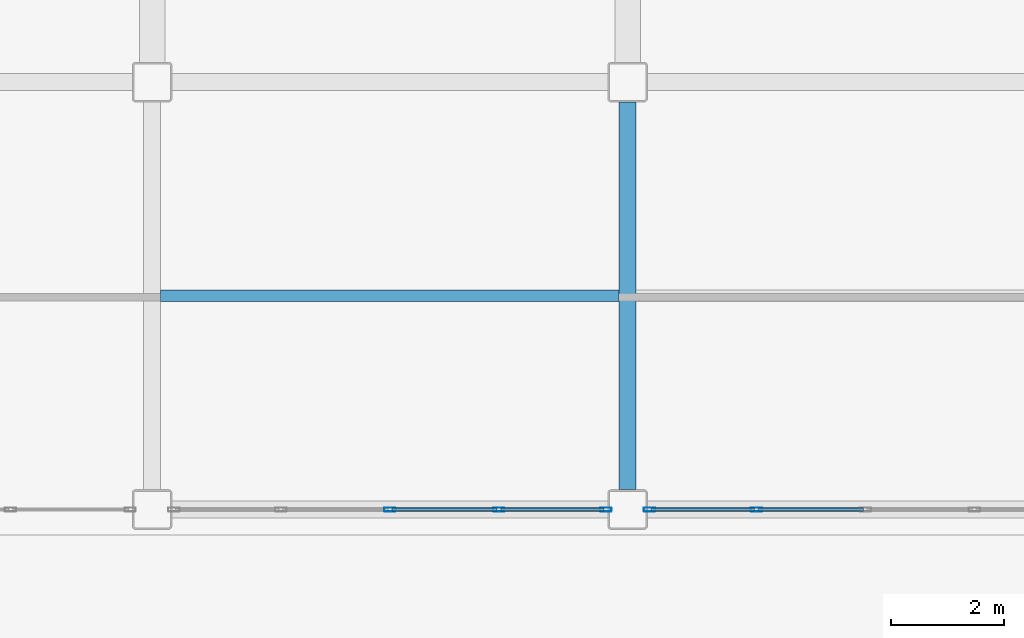
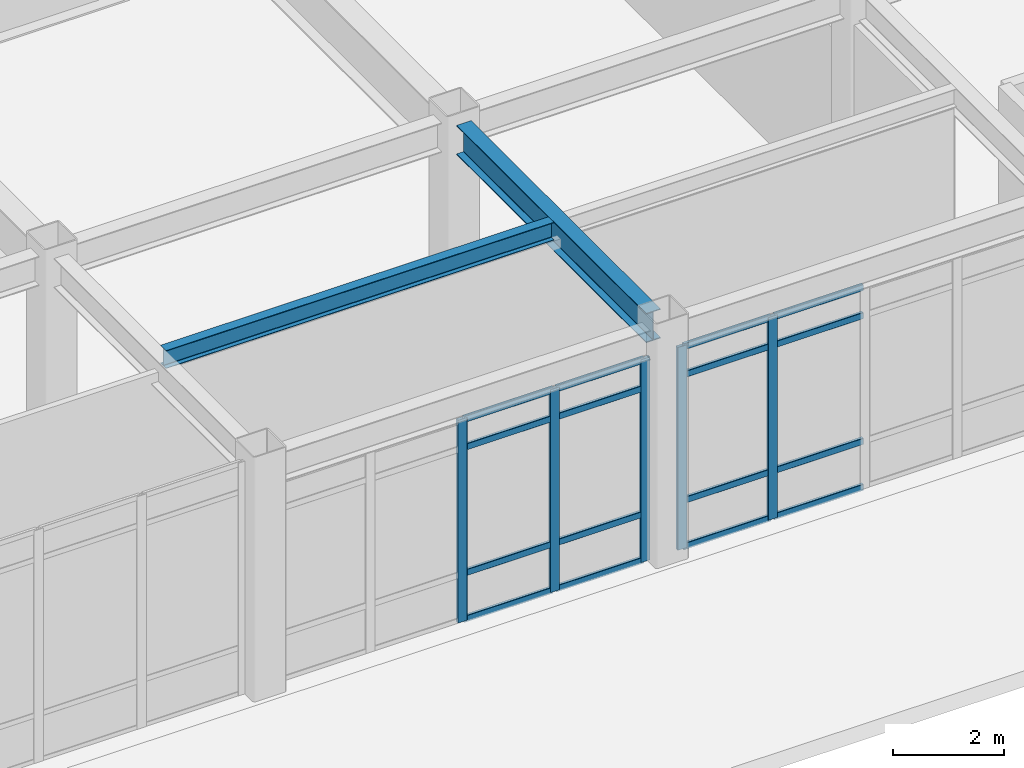
# One storey, part 11 of 165: 21 members, 2 beams, 2 elements without a shape of their own.
"""IFC4 building model written with IfcOpenShell, lengths in metres."""

from ifc_helpers import new_model, si_unit, direction, frame, origin, origin_2d, place, context, subcontext, project, spatial, hollow_rectangle, i_section, extrude, material, layer, layer_set, material_profile, profile_set, type_object, element, aggregate, save


model = new_model("IFC4")

# Units and contexts
model_context = context("Model", 3, precision=1e-05, world=origin(), true_north=direction((0.0, 1.0)))
body_context = subcontext(model_context, "Body", "Model", "MODEL_VIEW")
ifc_project = project(units=[si_unit("LENGTHUNIT", "METRE"), si_unit("AREAUNIT", "SQUARE_METRE"), si_unit("VOLUMEUNIT", "CUBIC_METRE"), si_unit("PLANEANGLEUNIT", "RADIAN"), si_unit("MASSUNIT", "GRAM", prefix="KILO")], contexts=[model_context])

# Site, building, storey
site_placement = place(None, origin())
site = spatial("IfcSite", under=ifc_project, at=site_placement, CompositionType="ELEMENT")
building_placement = place(site_placement, origin())
building = spatial("IfcBuilding", under=site, at=building_placement, Name="Kazehara Bluff Congress Hotel", CompositionType="ELEMENT")
storey_placement = place(building_placement, origin())
storey = spatial("IfcBuildingStorey", under=building, at=storey_placement, Name="L00", CompositionType="ELEMENT", Elevation=0.0)

# Curtain wall, members
ifc_material_1 = material(Name="Anodised aluminium", Category="aluminium")
ifc_layer = layer(ifc_material_1, 0.159912109375)
ifc_layer_set = layer_set([ifc_layer], Name="Anodised aluminium")
curtain_wall_type = type_object("IfcCurtainWallType", Name="TP-CW-26", PredefinedType="NOTDEFINED", material=ifc_layer_set)
curtain_wall_1_placement = place(storey_placement, origin())
curtain_wall_1 = element("IfcCurtainWall", 1, at=curtain_wall_1_placement, inside=storey, type_object=curtain_wall_type, Name="L00 curtain wall CW-26 CW-V2-L00-Y45-2555", PredefinedType="NOTDEFINED")
ifc_material_2 = material(Name="Anodised aluminium", Category="aluminium")
ifc_material_profile_1 = material_profile(ifc_material_2, hollow_rectangle(XDim=0.070068359375, YDim=0.199951171875, WallThickness=0.0048828125, InnerFilletRadius=0.0048828125, OuterFilletRadius=0.010009765625, at=origin_2d()))
ifc_profile_set_1 = profile_set([ifc_material_profile_1], Name="Anodised aluminium")
member_type_1 = type_object("IfcMemberType", Name="TP-CWM-03", PredefinedType="MULLION", material=ifc_profile_set_1)
member_1_placement = place(storey_placement, frame((29.39990234375, 0.449951171875, 0.0), z_axis=(0.0, 0.0, 1.0), x_axis=(0.0, 1.0, 0.0)))
member_1 = element("IfcMember", 2, at=member_1_placement, type_object=member_type_1, Name="CW-26 mullion 3", PredefinedType="MULLION", context=body_context, shape_type="SweptSolid", body=[
    extrude(hollow_rectangle(XDim=0.070068359375, YDim=0.199951171875, WallThickness=0.0048828125, InnerFilletRadius=0.0048828125, OuterFilletRadius=0.010009765625, at=origin_2d()), origin(), (0.0, 0.0, 1.0), 4.47509765625),
])
member_2_placement = place(storey_placement, frame((31.324951171875, 0.449951171875, 0.0), z_axis=(0.0, 0.0, 1.0), x_axis=(0.0, 1.0, 0.0)))
member_2 = element("IfcMember", 3, at=member_2_placement, type_object=member_type_1, Name="CW-26 mullion 4", PredefinedType="MULLION", context=body_context, shape_type="SweptSolid", body=[
    extrude(hollow_rectangle(XDim=0.070068359375, YDim=0.199951171875, WallThickness=0.0048828125, InnerFilletRadius=0.0048828125, OuterFilletRadius=0.010009765625, at=origin_2d()), origin(), (0.0, 0.0, 1.0), 4.47509765625),
])
member_3_placement = place(storey_placement, frame((33.215087890625, 0.449951171875, 0.0), z_axis=(0.0, 0.0, 1.0), x_axis=(0.0, 1.0, 0.0)))
member_3 = element("IfcMember", 4, at=member_3_placement, type_object=member_type_1, Name="CW-26 mullion 5", PredefinedType="MULLION", context=body_context, shape_type="SweptSolid", body=[
    extrude(hollow_rectangle(XDim=0.070068359375, YDim=0.199951171875, WallThickness=0.0048828125, InnerFilletRadius=0.0048828125, OuterFilletRadius=0.010009765625, at=origin_2d()), origin(), (0.0, 0.0, 1.0), 4.47509765625),
])

curtain_wall_2_placement = place(storey_placement, origin())
curtain_wall_2 = element("IfcCurtainWall", 5, at=curtain_wall_2_placement, inside=storey, type_object=curtain_wall_type, Name="L00 curtain wall CW-26 CW-V2-L00-Y45-3395", PredefinedType="NOTDEFINED")
member_4_placement = place(storey_placement, frame((33.985107421875, 0.449951171875, 0.0), z_axis=(0.0, 0.0, 1.0), x_axis=(0.0, 1.0, 0.0)))
member_4 = element("IfcMember", 6, at=member_4_placement, type_object=member_type_1, Name="CW-26 mullion 1", PredefinedType="MULLION", context=body_context, shape_type="SweptSolid", body=[
    extrude(hollow_rectangle(XDim=0.070068359375, YDim=0.199951171875, WallThickness=0.0048828125, InnerFilletRadius=0.0048828125, OuterFilletRadius=0.010009765625, at=origin_2d()), origin(), (0.0, 0.0, 1.0), 4.47509765625),
])
member_5_placement = place(storey_placement, frame((35.875, 0.449951171875, 0.0), z_axis=(0.0, 0.0, 1.0), x_axis=(0.0, 1.0, 0.0)))
member_5 = element("IfcMember", 7, at=member_5_placement, type_object=member_type_1, Name="CW-26 mullion 2", PredefinedType="MULLION", context=body_context, shape_type="SweptSolid", body=[
    extrude(hollow_rectangle(XDim=0.070068359375, YDim=0.199951171875, WallThickness=0.0048828125, InnerFilletRadius=0.0048828125, OuterFilletRadius=0.010009765625, at=origin_2d()), origin(), (0.0, 0.0, 1.0), 4.47509765625),
])

# Member
ifc_material_3 = material(Name="Anodised aluminium", Category="aluminium")
ifc_material_profile_2 = material_profile(ifc_material_3, hollow_rectangle(XDim=0.06494140625, YDim=0.139892578125, WallThickness=0.00390625, InnerFilletRadius=0.00390625, OuterFilletRadius=0.008056640625, at=origin_2d()))
ifc_profile_set_2 = profile_set([ifc_material_profile_2], Name="Anodised aluminium")
member_type_2 = type_object("IfcMemberType", Name="TP-CWT-02", PredefinedType="USERDEFINED", material=ifc_profile_set_2)
member_6_placement = place(storey_placement, frame((29.43505859375, 0.449951171875, 0.032470703125), z_axis=(1.0, 0.0, 0.0), x_axis=(0.0, 1.0, 0.0)))
member_6 = element("IfcMember", 8, at=member_6_placement, type_object=member_type_2, Name="CW-26 transom 3.1", ObjectType="TRANSOM", PredefinedType="USERDEFINED", context=body_context, shape_type="SweptSolid", body=[
    extrude(hollow_rectangle(XDim=0.06494140625, YDim=0.139892578125, WallThickness=0.00390625, InnerFilletRadius=0.00390625, OuterFilletRadius=0.008056640625, at=origin_2d()), origin(), (0.0, 0.0, 1.0), 1.85498046875),
])

member_7_placement = place(storey_placement, frame((29.43505859375, 0.449951171875, 1.050048828125), z_axis=(1.0, 0.0, 0.0), x_axis=(0.0, 1.0, 0.0)))
member_7 = element("IfcMember", 9, at=member_7_placement, type_object=member_type_2, Name="CW-26 transom 3.2", ObjectType="TRANSOM", PredefinedType="USERDEFINED", context=body_context, shape_type="SweptSolid", body=[
    extrude(hollow_rectangle(XDim=0.06494140625, YDim=0.139892578125, WallThickness=0.00390625, InnerFilletRadius=0.00390625, OuterFilletRadius=0.008056640625, at=origin_2d()), origin(), (0.0, 0.0, 1.0), 1.85498046875),
])

member_8_placement = place(storey_placement, frame((29.43505859375, 0.449951171875, 3.824951171875), z_axis=(1.0, 0.0, 0.0), x_axis=(0.0, 1.0, 0.0)))
member_8 = element("IfcMember", 10, at=member_8_placement, type_object=member_type_2, Name="CW-26 transom 3.3", ObjectType="TRANSOM", PredefinedType="USERDEFINED", context=body_context, shape_type="SweptSolid", body=[
    extrude(hollow_rectangle(XDim=0.06494140625, YDim=0.139892578125, WallThickness=0.00390625, InnerFilletRadius=0.00390625, OuterFilletRadius=0.008056640625, at=origin_2d()), origin(), (0.0, 0.0, 1.0), 1.85498046875),
])

member_9_placement = place(storey_placement, frame((29.43505859375, 0.449951171875, 4.4423828125), z_axis=(1.0, 0.0, 0.0), x_axis=(0.0, 1.0, 0.0)))
member_9 = element("IfcMember", 11, at=member_9_placement, type_object=member_type_2, Name="CW-26 transom 3.4", ObjectType="TRANSOM", PredefinedType="USERDEFINED", context=body_context, shape_type="SweptSolid", body=[
    extrude(hollow_rectangle(XDim=0.06494140625, YDim=0.139892578125, WallThickness=0.00390625, InnerFilletRadius=0.00390625, OuterFilletRadius=0.008056640625, at=origin_2d()), origin(), (0.0, 0.0, 1.0), 1.85498046875),
])

member_10_placement = place(storey_placement, frame((31.360107421875, 0.449951171875, 0.032470703125), z_axis=(1.0, 0.0, 0.0), x_axis=(0.0, 1.0, 0.0)))
member_10 = element("IfcMember", 12, at=member_10_placement, type_object=member_type_2, Name="CW-26 transom 4.1", ObjectType="TRANSOM", PredefinedType="USERDEFINED", context=body_context, shape_type="SweptSolid", body=[
    extrude(hollow_rectangle(XDim=0.06494140625, YDim=0.139892578125, WallThickness=0.00390625, InnerFilletRadius=0.00390625, OuterFilletRadius=0.008056640625, at=origin_2d()), origin(), (0.0, 0.0, 1.0), 1.81982421875),
])

member_11_placement = place(storey_placement, frame((31.360107421875, 0.449951171875, 1.050048828125), z_axis=(1.0, 0.0, 0.0), x_axis=(0.0, 1.0, 0.0)))
member_11 = element("IfcMember", 13, at=member_11_placement, type_object=member_type_2, Name="CW-26 transom 4.2", ObjectType="TRANSOM", PredefinedType="USERDEFINED", context=body_context, shape_type="SweptSolid", body=[
    extrude(hollow_rectangle(XDim=0.06494140625, YDim=0.139892578125, WallThickness=0.00390625, InnerFilletRadius=0.00390625, OuterFilletRadius=0.008056640625, at=origin_2d()), origin(), (0.0, 0.0, 1.0), 1.81982421875),
])

member_12_placement = place(storey_placement, frame((31.360107421875, 0.449951171875, 3.824951171875), z_axis=(1.0, 0.0, 0.0), x_axis=(0.0, 1.0, 0.0)))
member_12 = element("IfcMember", 14, at=member_12_placement, type_object=member_type_2, Name="CW-26 transom 4.3", ObjectType="TRANSOM", PredefinedType="USERDEFINED", context=body_context, shape_type="SweptSolid", body=[
    extrude(hollow_rectangle(XDim=0.06494140625, YDim=0.139892578125, WallThickness=0.00390625, InnerFilletRadius=0.00390625, OuterFilletRadius=0.008056640625, at=origin_2d()), origin(), (0.0, 0.0, 1.0), 1.81982421875),
])

member_13_placement = place(storey_placement, frame((31.360107421875, 0.449951171875, 4.4423828125), z_axis=(1.0, 0.0, 0.0), x_axis=(0.0, 1.0, 0.0)))
member_13 = element("IfcMember", 15, at=member_13_placement, type_object=member_type_2, Name="CW-26 transom 4.4", ObjectType="TRANSOM", PredefinedType="USERDEFINED", context=body_context, shape_type="SweptSolid", body=[
    extrude(hollow_rectangle(XDim=0.06494140625, YDim=0.139892578125, WallThickness=0.00390625, InnerFilletRadius=0.00390625, OuterFilletRadius=0.008056640625, at=origin_2d()), origin(), (0.0, 0.0, 1.0), 1.81982421875),
])

aggregate(curtain_wall_1, [member_1, member_2, member_3, member_6, member_7, member_8, member_9, member_10, member_11, member_12, member_13])

member_14_placement = place(storey_placement, frame((34.02001953125, 0.449951171875, 0.032470703125), z_axis=(1.0, 0.0, 0.0), x_axis=(0.0, 1.0, 0.0)))
member_14 = element("IfcMember", 16, at=member_14_placement, type_object=member_type_2, Name="CW-26 transom 1.1", ObjectType="TRANSOM", PredefinedType="USERDEFINED", context=body_context, shape_type="SweptSolid", body=[
    extrude(hollow_rectangle(XDim=0.06494140625, YDim=0.139892578125, WallThickness=0.00390625, InnerFilletRadius=0.00390625, OuterFilletRadius=0.008056640625, at=origin_2d()), origin(), (0.0, 0.0, 1.0), 1.820068359375),
])

member_15_placement = place(storey_placement, frame((34.02001953125, 0.449951171875, 1.050048828125), z_axis=(1.0, 0.0, 0.0), x_axis=(0.0, 1.0, 0.0)))
member_15 = element("IfcMember", 17, at=member_15_placement, type_object=member_type_2, Name="CW-26 transom 1.2", ObjectType="TRANSOM", PredefinedType="USERDEFINED", context=body_context, shape_type="SweptSolid", body=[
    extrude(hollow_rectangle(XDim=0.06494140625, YDim=0.139892578125, WallThickness=0.00390625, InnerFilletRadius=0.00390625, OuterFilletRadius=0.008056640625, at=origin_2d()), origin(), (0.0, 0.0, 1.0), 1.820068359375),
])

member_16_placement = place(storey_placement, frame((34.02001953125, 0.449951171875, 3.824951171875), z_axis=(1.0, 0.0, 0.0), x_axis=(0.0, 1.0, 0.0)))
member_16 = element("IfcMember", 18, at=member_16_placement, type_object=member_type_2, Name="CW-26 transom 1.3", ObjectType="TRANSOM", PredefinedType="USERDEFINED", context=body_context, shape_type="SweptSolid", body=[
    extrude(hollow_rectangle(XDim=0.06494140625, YDim=0.139892578125, WallThickness=0.00390625, InnerFilletRadius=0.00390625, OuterFilletRadius=0.008056640625, at=origin_2d()), origin(), (0.0, 0.0, 1.0), 1.820068359375),
])

member_17_placement = place(storey_placement, frame((34.02001953125, 0.449951171875, 4.4423828125), z_axis=(1.0, 0.0, 0.0), x_axis=(0.0, 1.0, 0.0)))
member_17 = element("IfcMember", 19, at=member_17_placement, type_object=member_type_2, Name="CW-26 transom 1.4", ObjectType="TRANSOM", PredefinedType="USERDEFINED", context=body_context, shape_type="SweptSolid", body=[
    extrude(hollow_rectangle(XDim=0.06494140625, YDim=0.139892578125, WallThickness=0.00390625, InnerFilletRadius=0.00390625, OuterFilletRadius=0.008056640625, at=origin_2d()), origin(), (0.0, 0.0, 1.0), 1.820068359375),
])

member_18_placement = place(storey_placement, frame((35.909912109375, 0.449951171875, 0.032470703125), z_axis=(1.0, 0.0, 0.0), x_axis=(0.0, 1.0, 0.0)))
member_18 = element("IfcMember", 20, at=member_18_placement, type_object=member_type_2, Name="CW-26 transom 2.1", ObjectType="TRANSOM", PredefinedType="USERDEFINED", context=body_context, shape_type="SweptSolid", body=[
    extrude(hollow_rectangle(XDim=0.06494140625, YDim=0.139892578125, WallThickness=0.00390625, InnerFilletRadius=0.00390625, OuterFilletRadius=0.008056640625, at=origin_2d()), origin(), (0.0, 0.0, 1.0), 1.85498046875),
])

member_19_placement = place(storey_placement, frame((35.909912109375, 0.449951171875, 1.050048828125), z_axis=(1.0, 0.0, 0.0), x_axis=(0.0, 1.0, 0.0)))
member_19 = element("IfcMember", 21, at=member_19_placement, type_object=member_type_2, Name="CW-26 transom 2.2", ObjectType="TRANSOM", PredefinedType="USERDEFINED", context=body_context, shape_type="SweptSolid", body=[
    extrude(hollow_rectangle(XDim=0.06494140625, YDim=0.139892578125, WallThickness=0.00390625, InnerFilletRadius=0.00390625, OuterFilletRadius=0.008056640625, at=origin_2d()), origin(), (0.0, 0.0, 1.0), 1.85498046875),
])

member_20_placement = place(storey_placement, frame((35.909912109375, 0.449951171875, 3.824951171875), z_axis=(1.0, 0.0, 0.0), x_axis=(0.0, 1.0, 0.0)))
member_20 = element("IfcMember", 22, at=member_20_placement, type_object=member_type_2, Name="CW-26 transom 2.3", ObjectType="TRANSOM", PredefinedType="USERDEFINED", context=body_context, shape_type="SweptSolid", body=[
    extrude(hollow_rectangle(XDim=0.06494140625, YDim=0.139892578125, WallThickness=0.00390625, InnerFilletRadius=0.00390625, OuterFilletRadius=0.008056640625, at=origin_2d()), origin(), (0.0, 0.0, 1.0), 1.85498046875),
])

member_21_placement = place(storey_placement, frame((35.909912109375, 0.449951171875, 4.4423828125), z_axis=(1.0, 0.0, 0.0), x_axis=(0.0, 1.0, 0.0)))
member_21 = element("IfcMember", 23, at=member_21_placement, type_object=member_type_2, Name="CW-26 transom 2.4", ObjectType="TRANSOM", PredefinedType="USERDEFINED", context=body_context, shape_type="SweptSolid", body=[
    extrude(hollow_rectangle(XDim=0.06494140625, YDim=0.139892578125, WallThickness=0.00390625, InnerFilletRadius=0.00390625, OuterFilletRadius=0.008056640625, at=origin_2d()), origin(), (0.0, 0.0, 1.0), 1.85498046875),
])

aggregate(curtain_wall_2, [member_4, member_5, member_14, member_15, member_16, member_17, member_18, member_19, member_20, member_21])

# Beams
ifc_material_4 = material(Name="Steel SN490B", Category="steel")
ifc_material_profile_3 = material_profile(ifc_material_4, i_section(OverallWidth=0.300048828125, OverallDepth=0.64990234375, WebThickness=0.011962890625, FlangeThickness=0.02001953125, FilletRadius=0.012939453125, at=origin_2d()))
ifc_profile_set_3 = profile_set([ifc_material_profile_3], Name="Steel SN490B")
beam_type_1 = type_object("IfcBeamType", Name="TP-G-03", PredefinedType="BEAM", material=ifc_profile_set_3)
beam_1_placement = place(storey_placement, frame((33.60009765625, 0.800048828125, 4.824951171875), z_axis=(0.0, 1.0, 0.0), x_axis=(-1.0, 0.0, 0.0)))
element("IfcBeam", 24, at=beam_1_placement, inside=storey, type_object=beam_type_1, Name="L00 girder G-03 55", PredefinedType="BEAM", context=body_context, shape_type="SweptSolid", body=[
    extrude(i_section(OverallWidth=0.300048828125, OverallDepth=0.64990234375, WebThickness=0.011962890625, FlangeThickness=0.02001953125, FilletRadius=0.012939453125, at=origin_2d()), origin(), (0.0, 0.0, 1.0), 6.849853515625),
])
ifc_material_5 = material(Name="Steel SN400B", Category="steel")
ifc_material_profile_4 = material_profile(ifc_material_5, i_section(OverallWidth=0.199951171875, OverallDepth=0.39990234375, WebThickness=0.008056640625, FlangeThickness=0.012939453125, FilletRadius=0.012939453125, at=origin_2d()))
ifc_profile_set_4 = profile_set([ifc_material_profile_4], Name="Steel SN400B")
beam_type_2 = type_object("IfcBeamType", Name="TP-J-03", PredefinedType="JOIST", material=ifc_profile_set_4)
beam_2_placement = place(storey_placement, frame((25.35009765625, 4.22509765625, 4.949951171875), z_axis=(1.0, 0.0, 0.0), x_axis=(0.0, 1.0, 0.0)))
element("IfcBeam", 25, at=beam_2_placement, inside=storey, type_object=beam_type_2, Name="L00 secondary joist J-03 4", PredefinedType="JOIST", context=body_context, shape_type="SweptSolid", body=[
    extrude(i_section(OverallWidth=0.199951171875, OverallDepth=0.39990234375, WebThickness=0.008056640625, FlangeThickness=0.012939453125, FilletRadius=0.012939453125, at=origin_2d()), origin(), (0.0, 0.0, 1.0), 8.099853515625),
])

save(model, "model.ifc")
